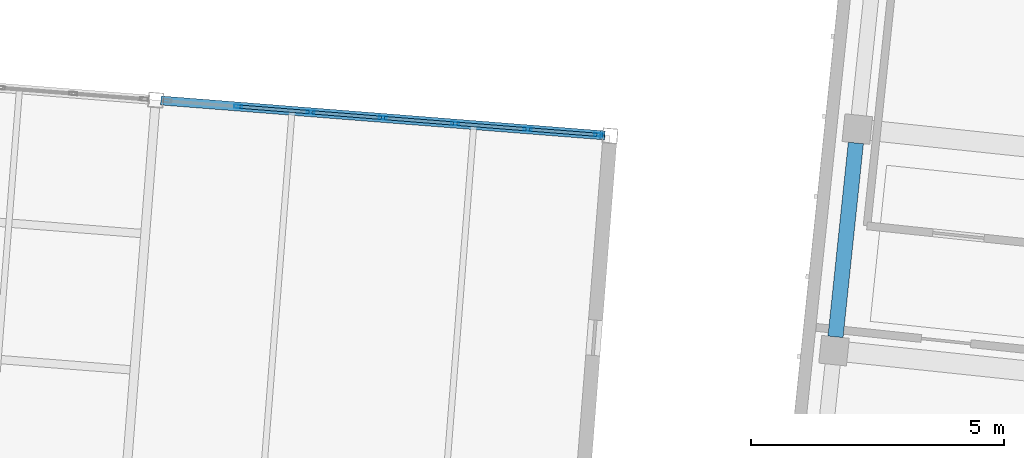
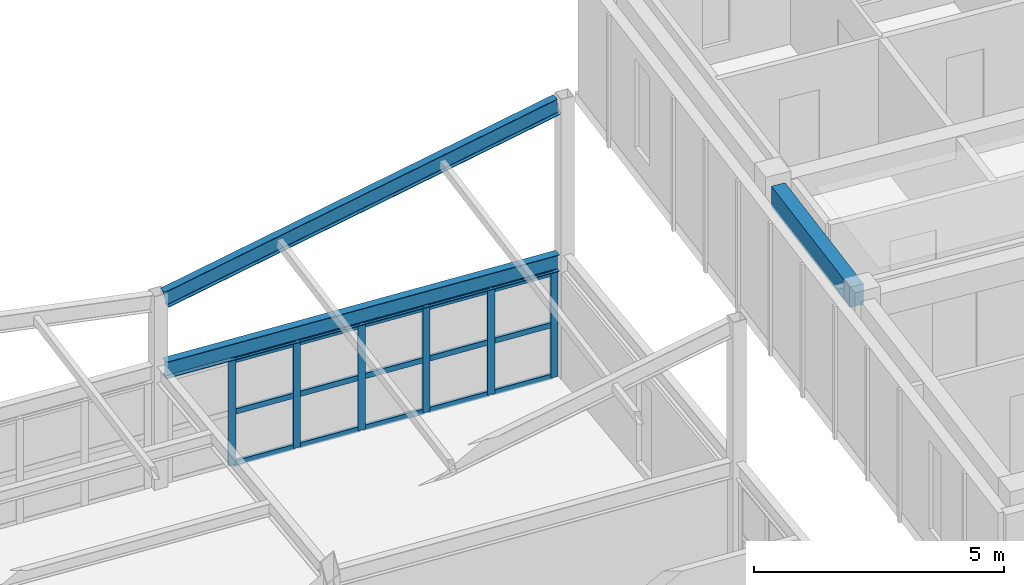
# One storey, part 54 of 127: 21 members, 3 beams, 1 element without a shape of its own.
"""IFC4 building model written with IfcOpenShell, lengths in metres."""

import ifcopenshell
import ifcopenshell.guid

model = None  # the IFC model being written
_history = None  # IfcOwnerHistory: only IFC2X3 demands one
_inside = {}  # id of a spatial element -> (the spatial element, [elements in it])
_under = {}  # id of a project, library or spatial element -> (it, [spatial elements below it])
_declared = {}  # id of a project -> (the project, [libraries it declares])
_typed = {}  # id of a type object -> (the type object, [elements of that type])
_made_of = {}  # id of a material, layer set ... -> (it, [elements and type objects made of it])


def new_model(schema):
    """Start an empty IFC model of exactly this schema.

    Asked for "IFC4X3", IfcOpenShell would pick the latest addendum, in which some entities
    have other attributes; the version numbers below select the first issue.
    IFC2X3 requires an IfcOwnerHistory on every rooted entity: one is made here for all.
    """
    global model, _history
    if schema == "IFC4X3":
        model = ifcopenshell.file(schema_version=(4, 3, 0, 0))
    else:
        model = ifcopenshell.file(schema=schema)
    _inside.clear()
    _under.clear()
    _declared.clear()
    _typed.clear()
    _made_of.clear()
    _history = None
    if model.schema == "IFC2X3":
        org = make("IfcOrganization", Name="unknown")
        user = make(
            "IfcPersonAndOrganization",
            ThePerson=make("IfcPerson", FamilyName="unknown"),
            TheOrganization=org,
        )
        app = make(
            "IfcApplication",
            ApplicationDeveloper=org,
            Version="unknown",
            ApplicationFullName="unknown",
            ApplicationIdentifier="unknown",
        )
        _history = make(
            "IfcOwnerHistory",
            OwningUser=user,
            OwningApplication=app,
            ChangeAction="ADDED",
            CreationDate=0,
        )
    return model


def make(cls, **values):
    """One entity of the class cls with the attributes given. An attribute that is None is left unset."""
    return model.create_entity(
        cls, **{name: value for name, value in values.items() if value is not None}
    )


def rooted(cls, **values):
    """An entity with a GlobalId (a new one), such as an element, a storey or a relation."""
    return make(cls, GlobalId=ifcopenshell.guid.new(), OwnerHistory=_history, **values)


def si_unit(unit_type, name, prefix=None):
    """IfcSIUnit, for example si_unit("LENGTHUNIT", "METRE", prefix="MILLI")."""
    return make("IfcSIUnit", UnitType=unit_type, Prefix=prefix, Name=name)


def assignment(units):
    """IfcUnitAssignment: the units of a project."""
    return None if units is None else make("IfcUnitAssignment", Units=units)


def point(xyz):
    """IfcCartesianPoint."""
    return None if xyz is None else make("IfcCartesianPoint", Coordinates=xyz)


def direction(xyz):
    """IfcDirection."""
    return None if xyz is None else make("IfcDirection", DirectionRatios=xyz)


def frame(location, z_axis=None, x_axis=None):
    """IfcAxis2Placement3D, a coordinate frame: its origin and axes. An axis left out is left unset."""
    return make(
        "IfcAxis2Placement3D",
        Location=point(location),
        Axis=direction(z_axis),
        RefDirection=direction(x_axis),
    )


def frame_2d(location, x_axis=None):
    """IfcAxis2Placement2D, a coordinate frame in the plane: its origin and x axis."""
    return make(
        "IfcAxis2Placement2D", Location=point(location), RefDirection=direction(x_axis)
    )


def origin():
    """The frame at (0, 0, 0) with its axes left unset."""
    return frame((0.0, 0.0, 0.0))


def origin_2d():
    """The frame at (0, 0) in the plane with its x axis left unset."""
    return frame_2d((0.0, 0.0))


def place(relative_to, where):
    """IfcLocalPlacement: puts the frame where relative to a parent placement (None: the world)."""
    return make(
        "IfcLocalPlacement", PlacementRelTo=relative_to, RelativePlacement=where
    )


def context(
    kind, dimensions, precision=None, world=None, true_north=None, identifier=None
):
    """IfcGeometricRepresentationContext, for example the 3D "Model" context."""
    return make(
        "IfcGeometricRepresentationContext",
        ContextIdentifier=identifier,
        ContextType=kind,
        CoordinateSpaceDimension=dimensions,
        Precision=precision,
        WorldCoordinateSystem=world,
        TrueNorth=true_north,
    )


def subcontext(parent, identifier, kind, view, scale=None):
    """IfcGeometricRepresentationSubContext, for example "Body" below "Model"."""
    return make(
        "IfcGeometricRepresentationSubContext",
        ContextIdentifier=identifier,
        ContextType=kind,
        ParentContext=parent,
        TargetScale=scale,
        TargetView=view,
    )


def project(units=None, contexts=None):
    """IfcProject with its units and contexts."""
    return rooted(
        "IfcProject",
        Name="project",
        RepresentationContexts=contexts,
        UnitsInContext=assignment(units),
    )


def spatial(cls, under=None, at=None, **own):
    """A site, building, storey or space (cls), placed at a placement, below another one or the project."""
    s = rooted(cls, ObjectPlacement=at, **own)
    if under is not None:
        _under.setdefault(under.id(), (under, []))[1].append(s)
    return s


def profile(cls, at=None, kind="AREA", **sizes):
    """A parametric profile (cls). Its sizes go by their IFC names, for example OverallWidth=200.0."""
    return make(cls, ProfileType=kind, Position=at, **sizes)


def rectangle(**sizes):
    """IfcRectangleProfileDef."""
    return profile("IfcRectangleProfileDef", **sizes)


def hollow_rectangle(**sizes):
    """IfcRectangleHollowProfileDef."""
    return profile("IfcRectangleHollowProfileDef", **sizes)


def i_section(**sizes):
    """IfcIShapeProfileDef."""
    return profile("IfcIShapeProfileDef", **sizes)


def extrude(swept, where, along, depth):
    """IfcExtrudedAreaSolid: the profile swept, set in the frame where, extruded along a direction by depth."""
    return make(
        "IfcExtrudedAreaSolid",
        SweptArea=swept,
        Position=where,
        ExtrudedDirection=direction(along),
        Depth=depth,
    )


def shape(context_of_items, identifier, shape_type, items):
    """IfcShapeRepresentation: the items that make up one representation, for example the "Body"."""
    return make(
        "IfcShapeRepresentation",
        ContextOfItems=context_of_items,
        RepresentationIdentifier=identifier,
        RepresentationType=shape_type,
        Items=items,
    )


def material(Name=None, Category=None):
    """IfcMaterial."""
    return make("IfcMaterial", Name=Name, Category=Category)


def material_profile(
    of_material, cross_section, Name=None, Category=None, Priority=None
):
    """IfcMaterialProfile: a cross section and its material."""
    return make(
        "IfcMaterialProfile",
        Name=Name,
        Material=of_material,
        Profile=cross_section,
        Priority=Priority,
        Category=Category,
    )


def profile_set(profiles, Name=None, composite=None):
    """IfcMaterialProfileSet."""
    return make(
        "IfcMaterialProfileSet",
        Name=Name,
        MaterialProfiles=profiles,
        CompositeProfile=composite,
    )


def made_of(thing, what):
    """Note that an element or type object is made of a material, layer set ...; save() writes the relation."""
    if what is not None:
        _made_of.setdefault(what.id(), (what, []))[1].append(thing)
    return thing


def type_object(cls, material=None, **own):
    """A type object (cls), such as IfcWallType, which elements share."""
    return made_of(rooted(cls, **own), material)


def element(
    cls,
    number,
    at=None,
    inside=None,
    cuts=None,
    type_object=None,
    material=None,
    context=None,
    identifier="Body",
    shape_type=None,
    held_by="IfcProductDefinitionShape",
    body=None,
    shapes=None,
    **own,
):
    """One element of the class cls, such as IfcWall. Its Tag is "e" and its number.

    at: its placement. inside: the storey or other place that contains it. cuts: it is an
    opening in that element (IfcRelVoidsElement). A single representation is given by context,
    identifier, shape_type and body (its items); several are given by shapes. held_by: the class
    of the entity that holds the representations. save() writes the other relations.
    """
    e = rooted(cls, Tag="e%d" % number, ObjectPlacement=at, **own)
    if body is not None:
        shapes = [shape(context, identifier, shape_type, body)]
    if shapes is not None:
        e.Representation = make(held_by, Representations=shapes)
    if inside is not None:
        _inside.setdefault(inside.id(), (inside, []))[1].append(e)
    if cuts is not None:
        rooted(
            "IfcRelVoidsElement", RelatingBuildingElement=cuts, RelatedOpeningElement=e
        )
    if type_object is not None:
        _typed.setdefault(type_object.id(), (type_object, []))[1].append(e)
    return made_of(e, material)


def aggregate(whole, parts):
    """IfcRelAggregates: a whole, such as a stair, and the parts it consists of."""
    return rooted("IfcRelAggregates", RelatingObject=whole, RelatedObjects=parts)


def save(model, path):
    """Write the relations noted so far, then the file.

    IfcRelAggregates (storeys below a building ...), IfcRelContainedInSpatialStructure (elements
    in a storey), IfcRelDefinesByType, IfcRelAssociatesMaterial and IfcRelDeclares: one each for
    every whole, place, type object, material and project.
    """
    for whole, parts in _under.values():
        aggregate(whole, parts)
    for where, things in _inside.values():
        rooted(
            "IfcRelContainedInSpatialStructure",
            RelatedElements=things,
            RelatingStructure=where,
        )
    for kind, things in _typed.values():
        rooted("IfcRelDefinesByType", RelatedObjects=things, RelatingType=kind)
    for what, things in _made_of.values():
        rooted("IfcRelAssociatesMaterial", RelatedObjects=things, RelatingMaterial=what)
    for by, libraries in _declared.values():
        rooted("IfcRelDeclares", RelatingContext=by, RelatedDefinitions=libraries)
    model.write(path)


model = new_model("IFC4")

# Units and contexts
model_context = context("Model", 3, precision=1e-05, world=origin(), true_north=direction((0.0, 1.0)))
body_context = subcontext(model_context, "Body", "Model", "MODEL_VIEW")
ifc_project = project(units=[si_unit("LENGTHUNIT", "METRE"), si_unit("AREAUNIT", "SQUARE_METRE"), si_unit("VOLUMEUNIT", "CUBIC_METRE"), si_unit("PLANEANGLEUNIT", "RADIAN"), si_unit("MASSUNIT", "GRAM", prefix="KILO")], contexts=[model_context])

# Site, building, storey
site_placement = place(None, origin())
site = spatial("IfcSite", under=ifc_project, at=site_placement, CompositionType="ELEMENT")
building_placement = place(site_placement, origin())
building = spatial("IfcBuilding", under=site, at=building_placement, Name="Kestramere Prow Commons", CompositionType="ELEMENT")
storey_placement = place(building_placement, frame((0.0, 0.0, 8.39990234375)))
storey = spatial("IfcBuildingStorey", under=building, at=storey_placement, Name="L02", CompositionType="ELEMENT", Elevation=8.39990234375)

# Beams
ifc_material_1 = material(Name="Steel S355JR", Category="steel")
ifc_material_profile_1 = material_profile(ifc_material_1, i_section(OverallWidth=0.177978515625, OverallDepth=0.406494140625, WebThickness=0.0078125, FlangeThickness=0.0126953125, FilletRadius=0.01025390625, at=origin_2d()), Name="UB 406x178x60")
ifc_profile_set_1 = profile_set([ifc_material_profile_1], Name="Steel S355JR")
beam_type_1 = type_object("IfcBeamType", Name="BM-NR-01 UB 406x178x60 (EX)", PredefinedType="BEAM", material=ifc_profile_set_1)
beam_1_placement = place(storey_placement, frame((97.54931640625, 107.2958984375, 2.796875), z_axis=(0.996917066238, -0.078462494502, 0.0), x_axis=(0.078462494502, 0.996917066238, 0.0)))
element("IfcBeam", 1, at=beam_1_placement, inside=storey, type_object=beam_type_1, Name="Nursery L02 Beam U 4-4", PredefinedType="BEAM", context=body_context, shape_type="SweptSolid", body=[
    extrude(i_section(OverallWidth=0.177978515625, OverallDepth=0.406494140625, WebThickness=0.0078125, FlangeThickness=0.0126953125, FilletRadius=0.01025390625, at=origin_2d()), origin(), (0.0, 0.0, 1.0), 8.699951171875),
])
beam_2_placement = place(storey_placement, frame((97.54931640625, 107.2958984375, 4.516845703125), z_axis=(0.969082353099, -0.076271759585, 0.234652959926), x_axis=(0.078462494502, 0.996917066238, 0.0)))
element("IfcBeam", 2, at=beam_2_placement, inside=storey, type_object=beam_type_1, Name="Nursery Butterfly Rafter 4-4", PredefinedType="BEAM", context=body_context, shape_type="SweptSolid", body=[
    extrude(i_section(OverallWidth=0.177978515625, OverallDepth=0.406494140625, WebThickness=0.0078125, FlangeThickness=0.0126953125, FilletRadius=0.01025390625, at=origin_2d()), origin(), (0.0, 0.0, 1.0), 8.94970703125),
])
ifc_material_2 = material(Name="Precast concrete C40/50", Category="concrete")
ifc_material_profile_2 = material_profile(ifc_material_2, rectangle(XDim=0.300048828125, YDim=0.5, at=origin_2d()), Name="PC-BM 300x500")
ifc_profile_set_2 = profile_set([ifc_material_profile_2], Name="Precast concrete C40/50")
beam_type_2 = type_object("IfcBeamType", Name="BM-TIE-01 PC-BM 300x500", PredefinedType="BEAM", material=ifc_profile_set_2)
beam_3_placement = place(storey_placement, frame((110.8232421875, 102.6318359375, 2.75), z_axis=(0.104506528251, 0.994524200587, 0.0), x_axis=(-0.994524200587, 0.104506528251, 0.0)))
element("IfcBeam", 3, at=beam_3_placement, inside=storey, type_object=beam_type_2, Name="Block B L02 Transverse Beam 1-2", PredefinedType="BEAM", context=body_context, shape_type="SweptSolid", body=[
    extrude(rectangle(XDim=0.300048828125, YDim=0.5, at=origin_2d()), origin(), (0.0, 0.0, 1.0), 3.849853515625),
])

# Curtain wall, members
ifc_material_3 = material(Name="Anodised Aluminium and Low-E Glass", Category="aluminium")
curtain_wall_type = type_object("IfcCurtainWallType", Name="CW-17 Glazed Curtain Wall 8600x2580", PredefinedType="USERDEFINED", material=ifc_material_3)
curtain_wall_placement = place(storey_placement, origin())
curtain_wall = element("IfcCurtainWall", 4, at=curtain_wall_placement, inside=storey, type_object=curtain_wall_type, Name="Nursery L02 North Garden Glazing 4", ObjectType="GLAZED CURTAIN WALL", PredefinedType="USERDEFINED")
ifc_material_4 = material(Name="Anodised Aluminium 6063-T6", Category="aluminium")
ifc_material_profile_3 = material_profile(ifc_material_4, hollow_rectangle(XDim=0.06494140625, YDim=0.159912109375, WallThickness=0.00390625, at=origin_2d()), Name="ALU-MUL 65x160")
ifc_profile_set_3 = profile_set([ifc_material_profile_3], Name="Anodised Aluminium 6063-T6")
member_type_1 = type_object("IfcMemberType", Name="CW-MUL-65x160", PredefinedType="MULLION", material=ifc_profile_set_3)
member_1_placement = place(storey_placement, frame((99.028076171875, 107.179443359375, 0.0), z_axis=(0.0, 0.0, 1.0), x_axis=(0.078459186136, 0.996917326618, 0.0)))
member_1 = element("IfcMember", 5, at=member_1_placement, type_object=member_type_1, Name="CW-17 mullion 2", PredefinedType="MULLION", context=body_context, shape_type="SweptSolid", body=[
    extrude(hollow_rectangle(XDim=0.06494140625, YDim=0.159912109375, WallThickness=0.00390625, at=origin_2d()), origin(), (0.0, 0.0, 1.0), 2.580078125),
])
member_2_placement = place(storey_placement, frame((100.45703125, 107.06689453125, 0.0), z_axis=(0.0, 0.0, 1.0), x_axis=(0.078459186136, 0.996917326618, 0.0)))
member_2 = element("IfcMember", 6, at=member_2_placement, type_object=member_type_1, Name="CW-17 mullion 3", PredefinedType="MULLION", context=body_context, shape_type="SweptSolid", body=[
    extrude(hollow_rectangle(XDim=0.06494140625, YDim=0.159912109375, WallThickness=0.00390625, at=origin_2d()), origin(), (0.0, 0.0, 1.0), 2.580078125),
])
member_3_placement = place(storey_placement, frame((101.885986328125, 106.95458984375, 0.0), z_axis=(0.0, 0.0, 1.0), x_axis=(0.078459186136, 0.996917326618, 0.0)))
member_3 = element("IfcMember", 7, at=member_3_placement, type_object=member_type_1, Name="CW-17 mullion 4", PredefinedType="MULLION", context=body_context, shape_type="SweptSolid", body=[
    extrude(hollow_rectangle(XDim=0.06494140625, YDim=0.159912109375, WallThickness=0.00390625, at=origin_2d()), origin(), (0.0, 0.0, 1.0), 2.580078125),
])
member_4_placement = place(storey_placement, frame((103.31494140625, 106.842041015625, 0.0), z_axis=(0.0, 0.0, 1.0), x_axis=(0.078459186136, 0.996917326618, 0.0)))
member_4 = element("IfcMember", 8, at=member_4_placement, type_object=member_type_1, Name="CW-17 mullion 5", PredefinedType="MULLION", context=body_context, shape_type="SweptSolid", body=[
    extrude(hollow_rectangle(XDim=0.06494140625, YDim=0.159912109375, WallThickness=0.00390625, at=origin_2d()), origin(), (0.0, 0.0, 1.0), 2.580078125),
])
member_5_placement = place(storey_placement, frame((104.74365234375, 106.729736328125, 0.0), z_axis=(0.0, 0.0, 1.0), x_axis=(0.078459186136, 0.996917326618, 0.0)))
member_5 = element("IfcMember", 9, at=member_5_placement, type_object=member_type_1, Name="CW-17 mullion 6", PredefinedType="MULLION", context=body_context, shape_type="SweptSolid", body=[
    extrude(hollow_rectangle(XDim=0.06494140625, YDim=0.159912109375, WallThickness=0.00390625, at=origin_2d()), origin(), (0.0, 0.0, 1.0), 2.580078125),
])
member_6_placement = place(storey_placement, frame((106.140380859375, 106.61962890625, 0.0), z_axis=(0.0, 0.0, 1.0), x_axis=(0.078459186136, 0.996917326618, 0.0)))
member_6 = element("IfcMember", 10, at=member_6_placement, type_object=member_type_1, Name="CW-17 mullion 7", PredefinedType="MULLION", context=body_context, shape_type="SweptSolid", body=[
    extrude(hollow_rectangle(XDim=0.06494140625, YDim=0.159912109375, WallThickness=0.00390625, at=origin_2d()), origin(), (0.0, 0.0, 1.0), 2.580078125),
])
ifc_material_profile_4 = material_profile(ifc_material_4, hollow_rectangle(XDim=0.06494140625, YDim=0.1298828125, WallThickness=0.00390625, at=origin_2d()), Name="ALU-TRN 65x130")
ifc_profile_set_4 = profile_set([ifc_material_profile_4], Name="Anodised Aluminium 6063-T6")
member_type_2 = type_object("IfcMemberType", Name="CW-TRN-65x130", PredefinedType="USERDEFINED", material=ifc_profile_set_4)
member_7_placement = place(storey_placement, frame((99.060546875, 107.177001953125, 0.03271484375), z_axis=(0.996913235205, -0.07851115509, 0.0), x_axis=(0.07851115509, 0.996913235205, 0.0)))
member_7 = element("IfcMember", 11, at=member_7_placement, type_object=member_type_2, Name="CW-17 transom 2.1", ObjectType="TRANSOM", PredefinedType="USERDEFINED", context=body_context, shape_type="SweptSolid", body=[
    extrude(hollow_rectangle(XDim=0.06494140625, YDim=0.1298828125, WallThickness=0.00390625, at=origin_2d()), origin(), (0.0, 0.0, 1.0), 1.3681640625),
])
member_8_placement = place(storey_placement, frame((99.060546875, 107.177001953125, 1.2900390625), z_axis=(0.996913235205, -0.07851115509, 0.0), x_axis=(0.07851115509, 0.996913235205, 0.0)))
member_8 = element("IfcMember", 12, at=member_8_placement, type_object=member_type_2, Name="CW-17 transom 2.2", ObjectType="TRANSOM", PredefinedType="USERDEFINED", context=body_context, shape_type="SweptSolid", body=[
    extrude(hollow_rectangle(XDim=0.06494140625, YDim=0.1298828125, WallThickness=0.00390625, at=origin_2d()), origin(), (0.0, 0.0, 1.0), 1.3681640625),
])
member_9_placement = place(storey_placement, frame((99.060546875, 107.177001953125, 2.547607421875), z_axis=(0.996913235205, -0.07851115509, 0.0), x_axis=(0.07851115509, 0.996913235205, 0.0)))
member_9 = element("IfcMember", 13, at=member_9_placement, type_object=member_type_2, Name="CW-17 transom 2.3", ObjectType="TRANSOM", PredefinedType="USERDEFINED", context=body_context, shape_type="SweptSolid", body=[
    extrude(hollow_rectangle(XDim=0.06494140625, YDim=0.1298828125, WallThickness=0.00390625, at=origin_2d()), origin(), (0.0, 0.0, 1.0), 1.3681640625),
])
member_10_placement = place(storey_placement, frame((100.489501953125, 107.064453125, 0.03271484375), z_axis=(0.996913235205, -0.07851115509, 0.0), x_axis=(0.07851115509, 0.996913235205, 0.0)))
member_10 = element("IfcMember", 14, at=member_10_placement, type_object=member_type_2, Name="CW-17 transom 3.1", ObjectType="TRANSOM", PredefinedType="USERDEFINED", context=body_context, shape_type="SweptSolid", body=[
    extrude(hollow_rectangle(XDim=0.06494140625, YDim=0.1298828125, WallThickness=0.00390625, at=origin_2d()), origin(), (0.0, 0.0, 1.0), 1.3681640625),
])
member_11_placement = place(storey_placement, frame((100.489501953125, 107.064453125, 1.2900390625), z_axis=(0.996913235205, -0.07851115509, 0.0), x_axis=(0.07851115509, 0.996913235205, 0.0)))
member_11 = element("IfcMember", 15, at=member_11_placement, type_object=member_type_2, Name="CW-17 transom 3.2", ObjectType="TRANSOM", PredefinedType="USERDEFINED", context=body_context, shape_type="SweptSolid", body=[
    extrude(hollow_rectangle(XDim=0.06494140625, YDim=0.1298828125, WallThickness=0.00390625, at=origin_2d()), origin(), (0.0, 0.0, 1.0), 1.3681640625),
])
member_12_placement = place(storey_placement, frame((100.489501953125, 107.064453125, 2.547607421875), z_axis=(0.996913235205, -0.07851115509, 0.0), x_axis=(0.07851115509, 0.996913235205, 0.0)))
member_12 = element("IfcMember", 16, at=member_12_placement, type_object=member_type_2, Name="CW-17 transom 3.3", ObjectType="TRANSOM", PredefinedType="USERDEFINED", context=body_context, shape_type="SweptSolid", body=[
    extrude(hollow_rectangle(XDim=0.06494140625, YDim=0.1298828125, WallThickness=0.00390625, at=origin_2d()), origin(), (0.0, 0.0, 1.0), 1.3681640625),
])
member_13_placement = place(storey_placement, frame((101.918212890625, 106.951904296875, 0.03271484375), z_axis=(0.996928280109, -0.078319884568, 0.0), x_axis=(0.078319884568, 0.996928280109, 0.0)))
member_13 = element("IfcMember", 17, at=member_13_placement, type_object=member_type_2, Name="CW-17 transom 4.1", ObjectType="TRANSOM", PredefinedType="USERDEFINED", context=body_context, shape_type="SweptSolid", body=[
    extrude(hollow_rectangle(XDim=0.06494140625, YDim=0.1298828125, WallThickness=0.00390625, at=origin_2d()), origin(), (0.0, 0.0, 1.0), 1.368408203125),
])
member_14_placement = place(storey_placement, frame((101.918212890625, 106.951904296875, 1.2900390625), z_axis=(0.996928280109, -0.078319884568, 0.0), x_axis=(0.078319884568, 0.996928280109, 0.0)))
member_14 = element("IfcMember", 18, at=member_14_placement, type_object=member_type_2, Name="CW-17 transom 4.2", ObjectType="TRANSOM", PredefinedType="USERDEFINED", context=body_context, shape_type="SweptSolid", body=[
    extrude(hollow_rectangle(XDim=0.06494140625, YDim=0.1298828125, WallThickness=0.00390625, at=origin_2d()), origin(), (0.0, 0.0, 1.0), 1.368408203125),
])
member_15_placement = place(storey_placement, frame((101.918212890625, 106.951904296875, 2.547607421875), z_axis=(0.996928280109, -0.078319884568, 0.0), x_axis=(0.078319884568, 0.996928280109, 0.0)))
member_15 = element("IfcMember", 19, at=member_15_placement, type_object=member_type_2, Name="CW-17 transom 4.3", ObjectType="TRANSOM", PredefinedType="USERDEFINED", context=body_context, shape_type="SweptSolid", body=[
    extrude(hollow_rectangle(XDim=0.06494140625, YDim=0.1298828125, WallThickness=0.00390625, at=origin_2d()), origin(), (0.0, 0.0, 1.0), 1.368408203125),
])
member_16_placement = place(storey_placement, frame((103.34716796875, 106.839599609375, 0.03271484375), z_axis=(0.996914334782, -0.078497191715, 0.0), x_axis=(0.078497191715, 0.996914334782, 0.0)))
member_16 = element("IfcMember", 20, at=member_16_placement, type_object=member_type_2, Name="CW-17 transom 5.1", ObjectType="TRANSOM", PredefinedType="USERDEFINED", context=body_context, shape_type="SweptSolid", body=[
    extrude(hollow_rectangle(XDim=0.06494140625, YDim=0.1298828125, WallThickness=0.00390625, at=origin_2d()), origin(), (0.0, 0.0, 1.0), 1.368408203125),
])
member_17_placement = place(storey_placement, frame((103.34716796875, 106.839599609375, 1.2900390625), z_axis=(0.996914334782, -0.078497191715, 0.0), x_axis=(0.078497191715, 0.996914334782, 0.0)))
member_17 = element("IfcMember", 21, at=member_17_placement, type_object=member_type_2, Name="CW-17 transom 5.2", ObjectType="TRANSOM", PredefinedType="USERDEFINED", context=body_context, shape_type="SweptSolid", body=[
    extrude(hollow_rectangle(XDim=0.06494140625, YDim=0.1298828125, WallThickness=0.00390625, at=origin_2d()), origin(), (0.0, 0.0, 1.0), 1.368408203125),
])
member_18_placement = place(storey_placement, frame((103.34716796875, 106.839599609375, 2.547607421875), z_axis=(0.996914334782, -0.078497191715, 0.0), x_axis=(0.078497191715, 0.996914334782, 0.0)))
member_18 = element("IfcMember", 22, at=member_18_placement, type_object=member_type_2, Name="CW-17 transom 5.3", ObjectType="TRANSOM", PredefinedType="USERDEFINED", context=body_context, shape_type="SweptSolid", body=[
    extrude(hollow_rectangle(XDim=0.06494140625, YDim=0.1298828125, WallThickness=0.00390625, at=origin_2d()), origin(), (0.0, 0.0, 1.0), 1.368408203125),
])
member_19_placement = place(storey_placement, frame((104.776123046875, 106.72705078125, 0.03271484375), z_axis=(0.996921875006, -0.078401372022, 0.0), x_axis=(0.078401372022, 0.996921875006, 0.0)))
member_19 = element("IfcMember", 23, at=member_19_placement, type_object=member_type_2, Name="CW-17 transom 6.1", ObjectType="TRANSOM", PredefinedType="USERDEFINED", context=body_context, shape_type="SweptSolid", body=[
    extrude(hollow_rectangle(XDim=0.06494140625, YDim=0.1298828125, WallThickness=0.00390625, at=origin_2d()), origin(), (0.0, 0.0, 1.0), 1.3359375),
])
member_20_placement = place(storey_placement, frame((104.776123046875, 106.72705078125, 1.2900390625), z_axis=(0.996921875006, -0.078401372022, 0.0), x_axis=(0.078401372022, 0.996921875006, 0.0)))
member_20 = element("IfcMember", 24, at=member_20_placement, type_object=member_type_2, Name="CW-17 transom 6.2", ObjectType="TRANSOM", PredefinedType="USERDEFINED", context=body_context, shape_type="SweptSolid", body=[
    extrude(hollow_rectangle(XDim=0.06494140625, YDim=0.1298828125, WallThickness=0.00390625, at=origin_2d()), origin(), (0.0, 0.0, 1.0), 1.3359375),
])
member_21_placement = place(storey_placement, frame((104.776123046875, 106.72705078125, 2.547607421875), z_axis=(0.996921875006, -0.078401372022, 0.0), x_axis=(0.078401372022, 0.996921875006, 0.0)))
member_21 = element("IfcMember", 25, at=member_21_placement, type_object=member_type_2, Name="CW-17 transom 6.3", ObjectType="TRANSOM", PredefinedType="USERDEFINED", context=body_context, shape_type="SweptSolid", body=[
    extrude(hollow_rectangle(XDim=0.06494140625, YDim=0.1298828125, WallThickness=0.00390625, at=origin_2d()), origin(), (0.0, 0.0, 1.0), 1.3359375),
])
aggregate(curtain_wall, [member_1, member_2, member_3, member_4, member_5, member_6, member_7, member_8, member_9, member_10, member_11, member_12, member_13, member_14, member_15, member_16, member_17, member_18, member_19, member_20, member_21])

save(model, "model.ifc")
